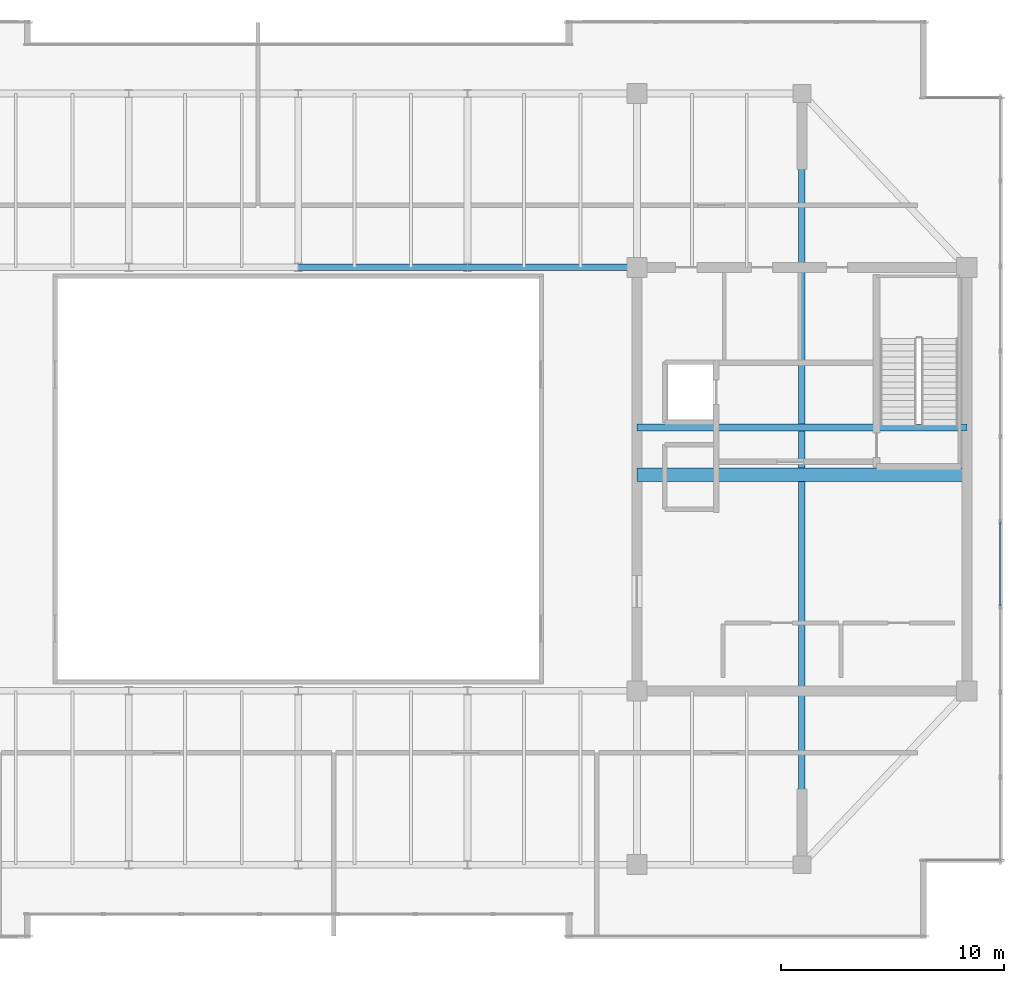
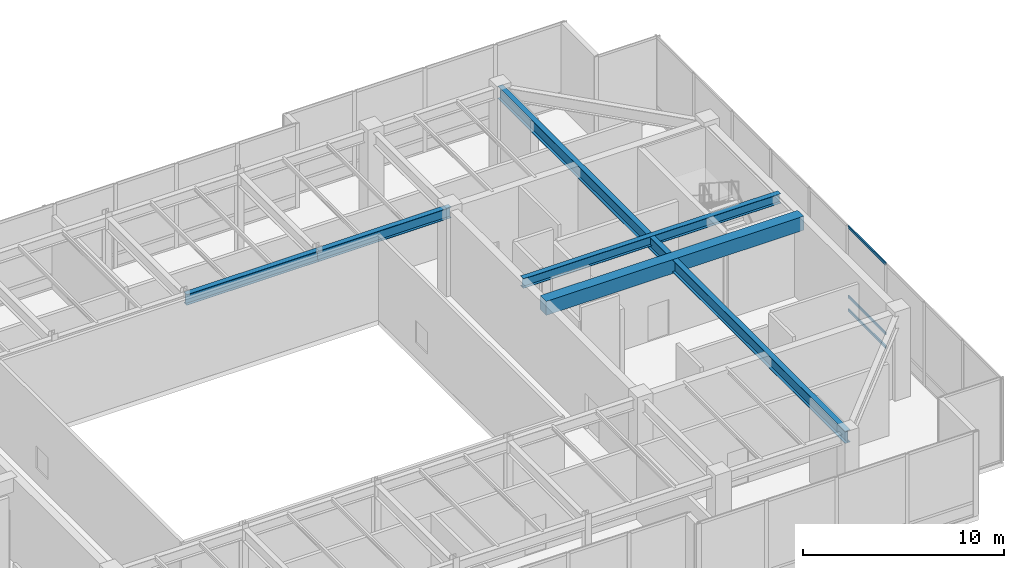
# One storey, part 16 of 30: 5 beams, 3 members, 1 element without a shape of its own.
"""IFC4 building model written with IfcOpenShell, lengths in metres."""

from ifc_helpers import new_model, si_unit, direction, frame, origin, origin_2d, place, context, subcontext, project, spatial, rectangle, hollow_rectangle, i_section, extrude, source, transform, mapped, material, layer, layer_set, material_profile, profile_set, type_object, type_shapes, element, aggregate, save


model = new_model("IFC4")

# Units and contexts
model_context = context("Model", 3, precision=1e-05, world=origin(), true_north=direction((0.0, 1.0)))
body_context = subcontext(model_context, "Body", "Model", "MODEL_VIEW")
ifc_project = project(units=[si_unit("LENGTHUNIT", "METRE"), si_unit("AREAUNIT", "SQUARE_METRE"), si_unit("VOLUMEUNIT", "CUBIC_METRE"), si_unit("PLANEANGLEUNIT", "RADIAN"), si_unit("MASSUNIT", "GRAM", prefix="KILO")], contexts=[model_context])

# Site, building, storey
site_placement = place(None, origin())
site = spatial("IfcSite", under=ifc_project, at=site_placement, CompositionType="ELEMENT")
building_placement = place(site_placement, origin())
building = spatial("IfcBuilding", under=site, at=building_placement, Name="Haelvirn Gate Laboratories", CompositionType="ELEMENT")
storey_placement = place(building_placement, frame((0.0, 0.0, 332.39990234375)))
storey = spatial("IfcBuildingStorey", under=building, at=storey_placement, Name="L79", CompositionType="ELEMENT", Elevation=332.39990234375)

# Beams
ifc_material_1 = material(Name="Steel SM355", Category="steel")
ifc_material_profile_1 = material_profile(ifc_material_1, i_section(OverallWidth=0.300048828125, OverallDepth=0.75, WebThickness=0.013916015625, FlangeThickness=0.02392578125, at=origin_2d()), Name="H-750x300x14x24")
ifc_profile_set_1 = profile_set([ifc_material_profile_1], Name="Steel SM355")
beam_type_1 = type_object("IfcBeamType", Name="BM-G-750", PredefinedType="BEAM", material=ifc_profile_set_1)
shared_shape_1 = source(origin(), body_context, "Body", "SweptSolid", [
    extrude(i_section(OverallWidth=0.300048828125, OverallDepth=0.75, WebThickness=0.013916015625, FlangeThickness=0.02392578125, at=origin_2d()), origin(), (0.0, 0.0, 1.0), 34.60009765625),
])
type_shapes(beam_type_1, [shared_shape_1])
beam_1_placement = place(storey_placement, frame((60.0, 7.0, 4.7451171875), z_axis=(0.0, 1.0, 0.0), x_axis=(-1.0, 0.0, 0.0)))
element("IfcBeam", 1, at=beam_1_placement, inside=storey, type_object=beam_type_1, Name="L79 Frame Girder X60.0 (7.0-41.6)", PredefinedType="BEAM", context=body_context, shape_type="MappedRepresentation", body=[
    mapped(shared_shape_1, transform((0.0, 0.0, 0.0), scale=1.0)),
])
ifc_material_profile_2 = material_profile(ifc_material_1, i_section(OverallWidth=0.300048828125, OverallDepth=0.587890625, WebThickness=0.011962890625, FlangeThickness=0.02001953125, at=origin_2d()), Name="H-588x300x12x20")
ifc_profile_set_2 = profile_set([ifc_material_profile_2], Name="Steel SM355")
beam_type_2 = type_object("IfcBeamType", Name="BM-G-588", PredefinedType="BEAM", material=ifc_profile_set_2)
shared_shape_2 = source(origin(), body_context, "Body", "SweptSolid", [
    extrude(i_section(OverallWidth=0.300048828125, OverallDepth=0.587890625, WebThickness=0.011962890625, FlangeThickness=0.02001953125, at=origin_2d()), origin(), (0.0, 0.0, 1.0), 14.7998046875),
])
type_shapes(beam_type_2, [shared_shape_2])
beam_2_placement = place(storey_placement, frame((52.60009765625, 26.6201171875, 4.826171875), z_axis=(1.0, 0.0, 0.0), x_axis=(0.0, 1.0, 0.0)))
element("IfcBeam", 2, at=beam_2_placement, inside=storey, type_object=beam_type_2, Name="L79 Stair ST2 Landing Header", PredefinedType="BEAM", context=body_context, shape_type="MappedRepresentation", body=[
    mapped(shared_shape_2, transform((0.0, 0.0, 0.0), scale=1.0)),
])
ifc_material_2 = material(Name="Concrete C50/60", Category="concrete")
ifc_material_profile_3 = material_profile(ifc_material_2, rectangle(XDim=0.60009765625, YDim=0.85009765625, at=origin_2d()), Name="RCB-600x850")
ifc_profile_set_3 = profile_set([ifc_material_profile_3], Name="Concrete C50/60")
beam_type_3 = type_object("IfcBeamType", Name="BM-RCB-850", PredefinedType="LINTEL", material=ifc_profile_set_3)
shared_shape_3 = source(origin(), body_context, "Body", "SweptSolid", [
    extrude(rectangle(XDim=0.60009765625, YDim=0.85009765625, at=origin_2d()), origin(), (0.0, 0.0, 1.0), 14.7998046875),
])
type_shapes(beam_type_3, [shared_shape_3])
beam_3_placement = place(storey_placement, frame((52.60009765625, 24.5, 4.695068359375), z_axis=(1.0, 0.0, 0.0), x_axis=(0.0, 1.0, 0.0)))
element("IfcBeam", 3, at=beam_3_placement, inside=storey, type_object=beam_type_3, Name="L79 East Core Coupling Beam", PredefinedType="LINTEL", context=body_context, shape_type="MappedRepresentation", body=[
    mapped(shared_shape_3, transform((0.0, 0.0, 0.0), scale=1.0)),
])
ifc_material_profile_4 = material_profile(ifc_material_1, i_section(OverallWidth=0.300048828125, OverallDepth=0.64990234375, WebThickness=0.012939453125, FlangeThickness=0.02197265625, at=origin_2d()), Name="H-650x300x13x22")
ifc_profile_set_4 = profile_set([ifc_material_profile_4], Name="Steel SM355")
beam_type_4 = type_object("IfcBeamType", Name="BM-G-650", PredefinedType="BEAM", material=ifc_profile_set_4)
shared_shape_4 = source(origin(), body_context, "Body", "SweptSolid", [
    extrude(i_section(OverallWidth=0.300048828125, OverallDepth=0.64990234375, WebThickness=0.012939453125, FlangeThickness=0.02197265625, at=origin_2d()), origin(), (0.0, 0.0, 1.0), 7.60009765625),
])
type_shapes(beam_type_4, [shared_shape_4])
for number, where, z_axis, x_axis, name in (
    (4, (37.39990234375, 33.800048828125, 4.795166015625), (1.0, 0.0, 0.0), (0.0, 1.0, 0.0), "L79 Primary Girder Y33.8 (37.4-45.0)"),
    (5, (45.0, 33.800048828125, 4.795166015625), (1.0, 0.0, 0.0), (0.0, 1.0, 0.0), "L79 Primary Girder Y33.8 (45.0-52.6)"),
):
    element("IfcBeam", number, at=place(storey_placement, frame(where, z_axis=z_axis, x_axis=x_axis)), inside=storey, type_object=beam_type_4, Name=name, PredefinedType="BEAM", context=body_context, shape_type="MappedRepresentation", body=[
        mapped(shared_shape_4, transform((0.0, 0.0, 0.0), scale=1.0)),
    ])

# Curtain wall, members
ifc_material_3 = material(Name="Anodised bronze unitised aluminium & triple low-E glass", Category="aluminium")
ifc_layer = layer(ifc_material_3, 0.19189453125, Name="CW-SYS-6")
ifc_layer_set = layer_set([ifc_layer], Name="Anodised bronze unitised aluminium & triple low-E glass")
curtain_wall_type = type_object("IfcCurtainWallType", Name="CW-SYS-6", PredefinedType="NOTDEFINED", material=ifc_layer_set)
curtain_wall_placement = place(storey_placement, origin())
curtain_wall = element("IfcCurtainWall", 6, at=curtain_wall_placement, inside=storey, type_object=curtain_wall_type, Name="L79 Unitised Curtain Wall CW-L79-P0-E07", PredefinedType="NOTDEFINED")
ifc_material_4 = material(Name="Extruded aluminium 6063-T6 (anodised bronze)", Category="aluminium")
ifc_material_profile_5 = material_profile(ifc_material_4, hollow_rectangle(XDim=0.070068359375, YDim=0.159912109375, WallThickness=0.0048828125, at=origin_2d()), Name="CWT-160x70x5")
ifc_profile_set_5 = profile_set([ifc_material_profile_5], Name="Extruded aluminium 6063-T6 (anodised bronze)")
member_type = type_object("IfcMemberType", Name="CWT-T160", PredefinedType="USERDEFINED", material=ifc_profile_set_5)
shared_shape_5 = source(origin(), body_context, "Body", "SweptSolid", [
    extrude(hollow_rectangle(XDim=0.070068359375, YDim=0.159912109375, WallThickness=0.0048828125, at=origin_2d()), origin(), (0.0, 0.0, 1.0), 3.7421875),
])
type_shapes(member_type, [shared_shape_5])
member_1_placement = place(storey_placement, frame((68.89990234375, 18.606689453125, 0.03515625), z_axis=(0.0, 1.0, 0.0), x_axis=(-1.0, 0.0, 0.0)))
member_1 = element("IfcMember", 7, at=member_1_placement, type_object=member_type, Name="CW6 transom 4.1", ObjectType="TRANSOM", PredefinedType="USERDEFINED", context=body_context, shape_type="MappedRepresentation", body=[
    mapped(shared_shape_5, transform((0.0, 0.0, 0.0), scale=1.0)),
])
member_2_placement = place(storey_placement, frame((68.89990234375, 18.606689453125, 0.85009765625), z_axis=(0.0, 1.0, 0.0), x_axis=(-1.0, 0.0, 0.0)))
member_2 = element("IfcMember", 8, at=member_2_placement, type_object=member_type, Name="CW6 transom 4.2", ObjectType="TRANSOM", PredefinedType="USERDEFINED", context=body_context, shape_type="MappedRepresentation", body=[
    mapped(shared_shape_5, transform((0.0, 0.0, 0.0), scale=1.0)),
])
member_3_placement = place(storey_placement, frame((68.89990234375, 18.606689453125, 5.085205078125), z_axis=(0.0, 1.0, 0.0), x_axis=(-1.0, 0.0, 0.0)))
member_3 = element("IfcMember", 9, at=member_3_placement, type_object=member_type, Name="CW6 transom 4.3", ObjectType="TRANSOM", PredefinedType="USERDEFINED", context=body_context, shape_type="MappedRepresentation", body=[
    mapped(shared_shape_5, transform((0.0, 0.0, 0.0), scale=1.0)),
])
aggregate(curtain_wall, [member_1, member_2, member_3])

save(model, "model.ifc")
